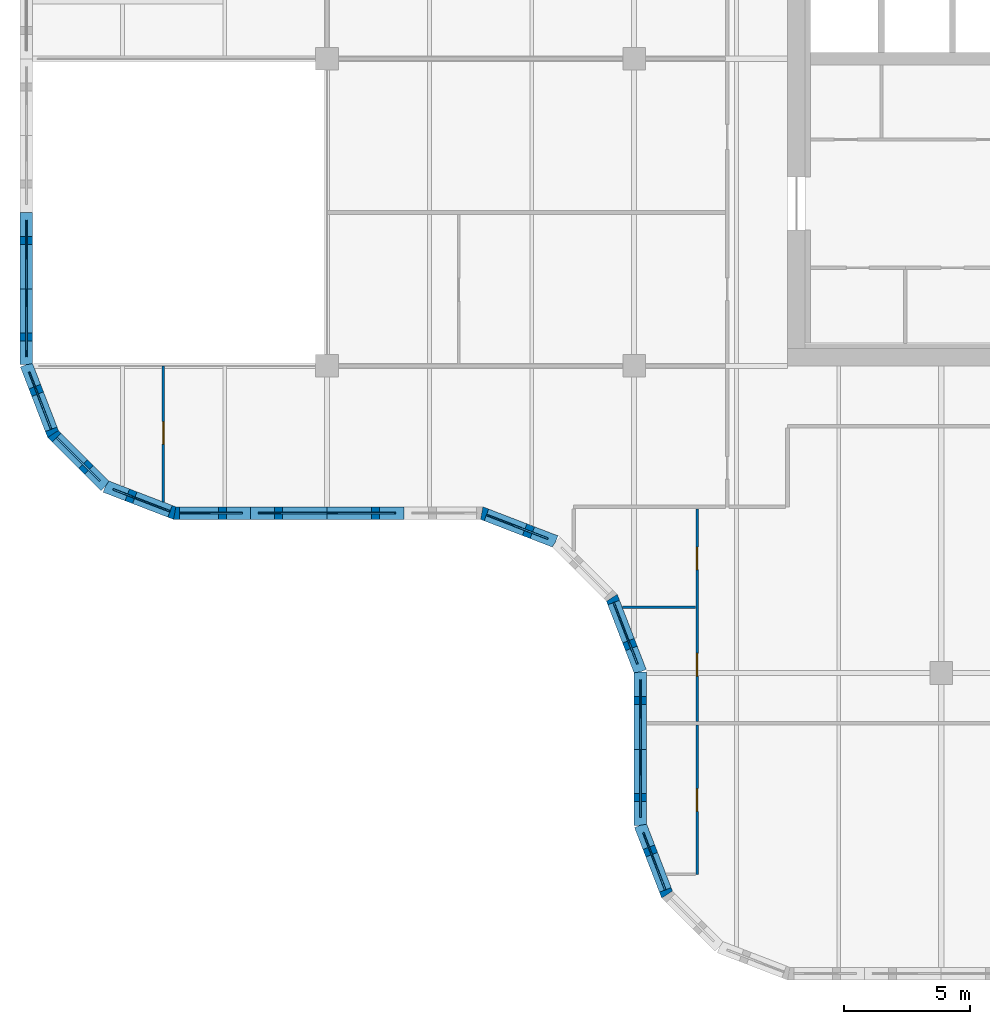
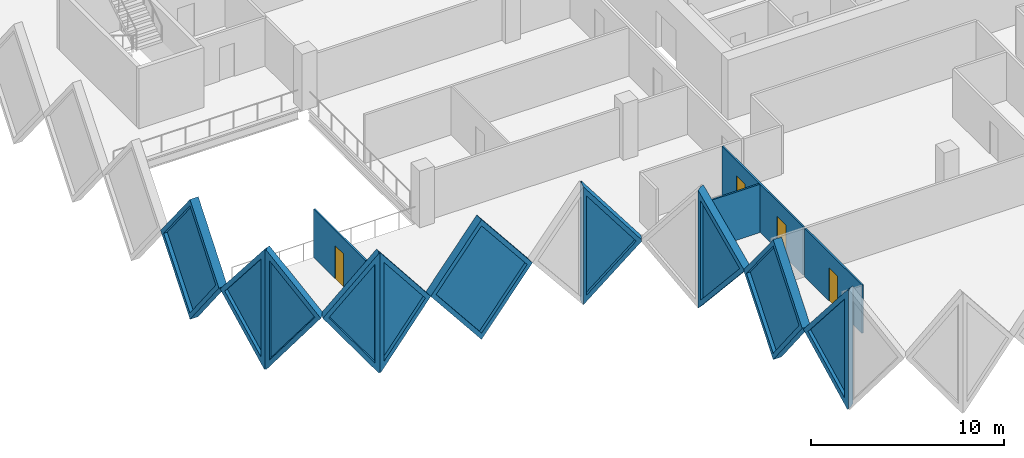
# One storey, part 3 of 12: 14 walls, 10 plates, 4 doors, 14 openings.
"""IFC4 building model written with IfcOpenShell, lengths in metres."""

from ifc_helpers import new_model, si_unit, direction, frame, frame_2d, origin, place, context, subcontext, project, spatial, polyline, rectangle, outline, extrude, faceted_brep, source, transform, mapped, material, layer, layer_set, type_object, element, fill, save


model = new_model("IFC4")

# Units and contexts
model_context = context("Model", 3, precision=1e-05, world=origin(), true_north=direction((0.0, 1.0)))
body_context = subcontext(model_context, "Body", "Model", "MODEL_VIEW")
ifc_project = project(units=[si_unit("LENGTHUNIT", "METRE"), si_unit("AREAUNIT", "SQUARE_METRE"), si_unit("VOLUMEUNIT", "CUBIC_METRE"), si_unit("PLANEANGLEUNIT", "RADIAN"), si_unit("MASSUNIT", "GRAM", prefix="KILO")], contexts=[model_context])

# Site, building, storey
site_placement = place(None, origin())
site = spatial("IfcSite", under=ifc_project, at=site_placement, CompositionType="ELEMENT")
building_placement = place(site_placement, origin())
building = spatial("IfcBuilding", under=site, at=building_placement, Name="Tessera Gate Towers", CompositionType="ELEMENT")
storey_placement = place(building_placement, frame((0.0, 0.0, 143.0)))
storey = spatial("IfcBuildingStorey", under=building, at=storey_placement, Name="L35", CompositionType="ELEMENT", Elevation=143.0)

# Wall, opening, door
ifc_material_1 = material(Name="Glass", Category="glass")
ifc_layer_1 = layer(ifc_material_1, 0.10009765625)
ifc_layer_set_1 = layer_set([ifc_layer_1], Name="GLAZED PARTITION 100")
wall_type_1 = type_object("IfcWallType", Name="GLAZED PARTITION 100", PredefinedType="PARTITIONING", material=ifc_layer_set_1)
wall_1_placement = place(storey_placement, frame((5.699951171875, 18.990234375, 0.0), z_axis=(0.0, 0.0, 1.0), x_axis=(0.0, 1.0, 0.0)))
wall_1 = element("IfcWall", 1, at=wall_1_placement, inside=storey, type_object=wall_type_1, Name="T1-L35-PW-026", PredefinedType="PARTITIONING", context=body_context, shape_type="SweptSolid", body=[
    extrude(rectangle(XDim=5.40966796875, YDim=0.10009765625, at=frame_2d((2.704833984375, 0.0))), origin(), (0.0, 0.0, 1.0), 3.06689453125),
])
shared_shape_1 = source(origin(), body_context, "Body", "SweptSolid", [
    extrude(rectangle(XDim=0.89990234375, YDim=2.10009765625, at=frame_2d((0.449951171875, 1.050048828125))), frame((0.0, 0.06005859375, 0.0), z_axis=(0.0, -1.0, 0.0), x_axis=(1.0, 0.0, 0.0)), (0.0, 0.0, 1.0), 0.1201171875),
])
opening_1_placement = place(wall_1_placement, frame((2.300048828125, 0.0, 0.0)))
opening_1 = element("IfcOpeningElement", 2, at=opening_1_placement, cuts=wall_1, Name="Opening D690-A13-03", PredefinedType="OPENING", context=body_context, shape_type="MappedRepresentation", body=[
    mapped(shared_shape_1, transform((0.0, 0.0, 0.0), scale=1.0)),
])
ifc_material_2 = material(Name="Glass in aluminium frame", Category="aluminium")
door_type_1 = type_object("IfcDoorType", Name="GLAZED DOOR 900 NOT RATED", OperationType="NOTDEFINED", PredefinedType="DOOR", material=ifc_material_2)
shared_shape_2 = source(origin(), body_context, "Body", "SweptSolid", [
    extrude(rectangle(XDim=0.89990234375, YDim=2.10009765625, at=frame_2d((0.449951171875, 1.050048828125))), frame((0.0, 0.02490234375, 0.0), z_axis=(0.0, -1.0, 0.0), x_axis=(1.0, 0.0, 0.0)), (0.0, 0.0, 1.0), 0.050048828125),
])
door_1_placement = place(opening_1_placement, origin())
door_1 = element("IfcDoor", 3, at=door_1_placement, inside=storey, type_object=door_type_1, Name="T1-L35-PD-008", OperationType="SINGLE_SWING_LEFT", OverallHeight=2.10009765625, OverallWidth=0.89990234375, PredefinedType="DOOR", context=body_context, shape_type="MappedRepresentation", body=[
    mapped(shared_shape_2, transform((0.0, 0.0, 0.0), scale=1.0)),
])
fill(opening_1, door_1)

ifc_material_3 = material(Name="Gypsum board on steel studs", Category="steel")
ifc_layer_2 = layer(ifc_material_3, 0.10009765625)
ifc_layer_set_2 = layer_set([ifc_layer_2], Name="PARTITION 100")
wall_type_2 = type_object("IfcWallType", Name="PARTITION 100", PredefinedType="PARTITIONING", material=ifc_layer_set_2)
wall_2_placement = place(storey_placement, frame((26.89990234375, 4.199951171875, 0.0), z_axis=(0.0, 0.0, 1.0), x_axis=(0.0, 1.0, 0.0)))
wall_2 = element("IfcWall", 4, at=wall_2_placement, inside=storey, type_object=wall_type_2, Name="T1-L35-PW-004", PredefinedType="PARTITIONING", context=body_context, shape_type="SweptSolid", body=[
    extrude(rectangle(XDim=5.924072265625, YDim=0.10009765625, at=frame_2d((2.9619140625, 0.0))), origin(), (0.0, 0.0, 1.0), 3.06689453125),
])
opening_2_placement = place(wall_2_placement, frame((2.5, 0.0, 0.0)))
opening_2 = element("IfcOpeningElement", 5, at=opening_2_placement, cuts=wall_2, Name="Opening D190-A13-09", PredefinedType="OPENING", context=body_context, shape_type="MappedRepresentation", body=[
    mapped(shared_shape_1, transform((0.0, 0.0, 0.0), scale=1.0)),
])
ifc_material_4 = material(Name="Timber door leaf in steel frame", Category="steel")
door_type_2 = type_object("IfcDoorType", Name="INTERNAL DOOR 900 NOT RATED", OperationType="NOTDEFINED", PredefinedType="DOOR", material=ifc_material_4)
door_2_placement = place(opening_2_placement, origin())
door_2 = element("IfcDoor", 6, at=door_2_placement, inside=storey, type_object=door_type_2, Name="T1-L35-PD-017", OperationType="SINGLE_SWING_LEFT", OverallHeight=2.10009765625, OverallWidth=0.89990234375, PredefinedType="DOOR", context=body_context, shape_type="MappedRepresentation", body=[
    mapped(shared_shape_2, transform((0.0, 0.0, 0.0), scale=1.0)),
])
fill(opening_2, door_2)

# Wall, openings, doors
wall_3_placement = place(storey_placement, frame((26.89990234375, 10.27587890625, 0.0), z_axis=(0.0, 0.0, 1.0), x_axis=(0.0, 1.0, 0.0)))
wall_3 = element("IfcWall", 7, at=wall_3_placement, inside=storey, type_object=wall_type_2, Name="T1-L35-PW-013", PredefinedType="PARTITIONING", context=body_context, shape_type="SweptSolid", body=[
    extrude(rectangle(XDim=8.4482421875, YDim=0.10009765625, at=frame_2d((4.22412109375, 0.0))), origin(), (0.0, 0.0, 1.0), 3.06689453125),
])
opening_3_placement = place(wall_3_placement, frame((6.02587890625, 0.0, 0.0)))
opening_3 = element("IfcOpeningElement", 8, at=opening_3_placement, cuts=wall_3, Name="Opening D190-A13-01", PredefinedType="OPENING", context=body_context, shape_type="MappedRepresentation", body=[
    mapped(shared_shape_1, transform((0.0, 0.0, 0.0), scale=1.0)),
])
opening_4_placement = place(wall_3_placement, frame((1.800048828125, 0.0, 0.0)))
opening_4 = element("IfcOpeningElement", 9, at=opening_4_placement, cuts=wall_3, Name="Opening D190-A13-02", PredefinedType="OPENING", context=body_context, shape_type="MappedRepresentation", body=[
    mapped(shared_shape_1, transform((0.0, 0.0, 0.0), scale=1.0)),
])
door_3_placement = place(opening_3_placement, origin())
door_3 = element("IfcDoor", 10, at=door_3_placement, inside=storey, type_object=door_type_2, Name="T1-L35-PD-002", OperationType="SINGLE_SWING_LEFT", OverallHeight=2.10009765625, OverallWidth=0.89990234375, PredefinedType="DOOR", context=body_context, shape_type="MappedRepresentation", body=[
    mapped(shared_shape_2, transform((0.0, 0.0, 0.0), scale=1.0)),
])
fill(opening_3, door_3)
door_4_placement = place(opening_4_placement, origin())
door_4 = element("IfcDoor", 11, at=door_4_placement, inside=storey, type_object=door_type_2, Name="T1-L35-PD-004", OperationType="SINGLE_SWING_LEFT", OverallHeight=2.10009765625, OverallWidth=0.89990234375, PredefinedType="DOOR", context=body_context, shape_type="MappedRepresentation", body=[
    mapped(shared_shape_2, transform((0.0, 0.0, 0.0), scale=1.0)),
])
fill(opening_4, door_4)

# Wall
wall_4_placement = place(storey_placement, frame((23.9326171875, 14.801025390625, 0.0), z_axis=(0.0, 0.0, 1.0), x_axis=(1.0, 0.0, 0.0)))
element("IfcWall", 12, at=wall_4_placement, inside=storey, type_object=wall_type_2, Name="T1-L35-PW-019", PredefinedType="PARTITIONING", context=body_context, shape_type="SweptSolid", body=[
    extrude(rectangle(XDim=2.91650390625, YDim=0.10009765625, at=frame_2d((1.458251953125, 0.0))), origin(), (0.0, 0.0, 1.0), 3.06689453125),
])

# Wall, opening, plate
ifc_material_5 = material(Name="Precast concrete C60/75 white", Category="concrete")
ifc_layer_3 = layer(ifc_material_5, 0.5)
ifc_layer_set_3 = layer_set([ifc_layer_3], Name="TS1 tessera")
wall_type_3 = type_object("IfcWallType", Name="TS1 tessera", PredefinedType="SOLIDWALL", material=ifc_layer_set_3)
shared_shape_3 = source(origin(), body_context, "Body", "SweptSolid", [
    extrude(outline(polyline([(3.050048828125, 0.0), (6.10009765625, 3.800048828125), (3.050048828125, 7.60009765625), (0.0, 3.800048828125), (3.050048828125, 0.0)])), frame((0.0, 0.25, 0.0), z_axis=(0.0, -1.0, 0.0), x_axis=(1.0, 0.0, 0.0)), (0.0, 0.0, 1.0), 0.5),
])
wall_5_placement = place(storey_placement, frame((9.14990234375, 18.550048828125, -3.800048828125), z_axis=(0.0, 0.0, 1.0), x_axis=(1.0, 0.0, 0.0)))
wall_5 = element("IfcWall", 13, at=wall_5_placement, inside=storey, type_object=wall_type_3, Name="Precast tessera T1 TS1-0619", PredefinedType="SOLIDWALL", context=body_context, shape_type="MappedRepresentation", body=[
    mapped(shared_shape_3, transform((0.0, 0.0, 0.0), scale=1.0)),
])
shared_shape_4 = source(origin(), body_context, "Body", "SweptSolid", [
    extrude(outline(polyline([(3.050048828125, 0.3994140625), (5.779541015625, 3.800048828125), (3.050048828125, 7.20068359375), (0.320556640625, 3.800048828125), (3.050048828125, 0.3994140625)])), frame((0.0, 0.260009765625, 0.0), z_axis=(0.0, -1.0, 0.0), x_axis=(1.0, 0.0, 0.0)), (0.0, 0.0, 1.0), 0.52001953125),
])
opening_5_placement = place(wall_5_placement, origin())
opening_5 = element("IfcOpeningElement", 14, at=opening_5_placement, cuts=wall_5, Name="Opening T1-PL2-1261", PredefinedType="OPENING", context=body_context, shape_type="MappedRepresentation", body=[
    mapped(shared_shape_4, transform((0.0, 0.0, 0.0), scale=1.0)),
])
ifc_material_6 = material(Name="Low-e laminated glass", Category="glass")
ifc_layer_4 = layer(ifc_material_6, 0.06005859375)
ifc_layer_set_4 = layer_set([ifc_layer_4], Name="PL2 rhombic pane")
plate_type = type_object("IfcPlateType", Name="PL2 rhombic pane", PredefinedType="SHEET", material=ifc_layer_set_4)
shared_shape_5 = source(origin(), body_context, "Body", "SweptSolid", [
    extrude(outline(polyline([(3.050048828125, 0.3994140625), (5.779541015625, 3.800048828125), (3.050048828125, 7.20068359375), (0.320556640625, 3.800048828125), (3.050048828125, 0.3994140625)])), frame((0.0, 0.030029296875, 0.0), z_axis=(0.0, -1.0, 0.0), x_axis=(1.0, 0.0, 0.0)), (0.0, 0.0, 1.0), 0.06005859375),
])
plate_1_placement = place(opening_5_placement, origin())
plate_1 = element("IfcPlate", 15, at=plate_1_placement, inside=storey, type_object=plate_type, Name="Glass pane T1 PL2-1261", PredefinedType="SHEET", context=body_context, shape_type="MappedRepresentation", body=[
    mapped(shared_shape_5, transform((0.0, 0.0, 0.0), scale=1.0)),
])
fill(opening_5, plate_1)

shared_shape_6 = source(origin(), body_context, "Body", "Brep", [
    faceted_brep([(3.050048828125, -0.25, 0.0), (6.053466796875, -0.25, 3.800048828125), (3.050048828125, -0.25, 7.60009765625), (0.0, -0.25, 3.800048828125), (0.0, 0.25, 3.800048828125), (3.050048828125, 0.25, 7.60009765625), (6.0068359375, 0.25, 3.85888671875), (6.0068359375, 0.25, 3.7412109375), (3.050048828125, 0.25, 0.0), (6.053466796875, 0.0, 3.800048828125)], [[[0, 1, 2, 3]], [[4, 5, 6, 7, 8]], [[8, 7, 9, 1, 0]], [[6, 5, 2, 1, 9]], [[5, 4, 3, 2]], [[4, 8, 0, 3]], [[9, 7, 6]]]),
])
wall_6_placement = place(storey_placement, frame((0.25, 30.5, -3.800048828125), z_axis=(0.0, 0.0, 1.0), x_axis=(0.0, -1.0, 0.0)))
wall_6 = element("IfcWall", 16, at=wall_6_placement, inside=storey, type_object=wall_type_3, Name="Precast tessera T1 TS1-0618", PredefinedType="SOLIDWALL", context=body_context, shape_type="MappedRepresentation", body=[
    mapped(shared_shape_6, transform((0.0, 0.0, 0.0), scale=1.0)),
])
shared_shape_7 = source(origin(), body_context, "Body", "SweptSolid", [
    extrude(outline(polyline([(3.048583984375, 0.4013671875), (5.73486328125, 3.800048828125), (3.048583984375, 7.19873046875), (0.320556640625, 3.800048828125), (3.048583984375, 0.4013671875)])), frame((0.0, 0.260009765625, 0.0), z_axis=(0.0, -1.0, 0.0), x_axis=(1.0, 0.0, 0.0)), (0.0, 0.0, 1.0), 0.52001953125),
])
opening_6_placement = place(wall_6_placement, origin())
opening_6 = element("IfcOpeningElement", 17, at=opening_6_placement, cuts=wall_6, Name="Opening T1-PL2-1256", PredefinedType="OPENING", context=body_context, shape_type="MappedRepresentation", body=[
    mapped(shared_shape_7, transform((0.0, 0.0, 0.0), scale=1.0)),
])
shared_shape_8 = source(origin(), body_context, "Body", "SweptSolid", [
    extrude(outline(polyline([(3.048583984375, 0.4013671875), (5.73486328125, 3.800048828125), (3.048583984375, 7.19873046875), (0.320556640625, 3.800048828125), (3.048583984375, 0.4013671875)])), frame((0.0, 0.030029296875, 0.0), z_axis=(0.0, -1.0, 0.0), x_axis=(1.0, 0.0, 0.0)), (0.0, 0.0, 1.0), 0.06005859375),
])
plate_2_placement = place(opening_6_placement, origin())
plate_2 = element("IfcPlate", 18, at=plate_2_placement, inside=storey, type_object=plate_type, Name="Glass pane T1 PL2-1256", PredefinedType="SHEET", context=body_context, shape_type="MappedRepresentation", body=[
    mapped(shared_shape_8, transform((0.0, 0.0, 0.0), scale=1.0)),
])
fill(opening_6, plate_2)

ifc_material_7 = material(Name="Precast concrete C60/75 white", Category="concrete")
ifc_layer_5 = layer(ifc_material_7, 0.5)
ifc_layer_set_5 = layer_set([ifc_layer_5], Name="TS3 corner tessera")
wall_type_4 = type_object("IfcWallType", Name="TS3 corner tessera", PredefinedType="SOLIDWALL", material=ifc_layer_set_5)
shared_shape_9 = source(origin(), body_context, "Body", "Brep", [
    faceted_brep([(2.950439453125, -0.25, 0.0), (3.00341796875, -0.25, 0.068359375), (3.00341796875, -0.25, 7.53173828125), (2.950439453125, -0.25, 7.60009765625), (0.0, -0.25, 3.800048828125), (0.046630859375, 0.25, 3.860107421875), (2.897705078125, 0.25, 7.531982421875), (2.897705078125, 0.25, 0.068115234375), (0.046630859375, 0.25, 3.739990234375), (2.950439453125, 0.00048828125, 0.0), (2.950439453125, 0.00048828125, 7.60009765625), (0.0, 0.0, 3.800048828125)], [[[0, 1, 2, 3, 4]], [[5, 6, 7, 8]], [[1, 0, 9]], [[10, 3, 2]], [[6, 5, 11, 4, 3, 10]], [[8, 7, 9, 0, 4, 11]], [[8, 11, 5]], [[1, 9, 7, 6, 10, 2]]]),
])
wall_7_placement = place(storey_placement, frame((24.64990234375, 6.146484375, -3.800048828125), z_axis=(0.0, 0.0, 1.0), x_axis=(0.359953949349, -0.932970071518, 0.0)))
wall_7 = element("IfcWall", 19, at=wall_7_placement, inside=storey, type_object=wall_type_4, Name="Precast corner tessera T1 TS3-0815", PredefinedType="SOLIDWALL", context=body_context, shape_type="MappedRepresentation", body=[
    mapped(shared_shape_9, transform((0.0, 0.0, 0.0), scale=1.0)),
])
shared_shape_10 = source(origin(), body_context, "Body", "SweptSolid", [
    extrude(outline(polyline([(2.75048828125, 6.934814453125), (0.31640625, 3.800048828125), (2.75048828125, 0.665283203125), (2.75048828125, 6.934814453125)])), frame((0.0, 0.260009765625, 0.0), z_axis=(0.0, -1.0, 0.0), x_axis=(1.0, 0.0, 0.0)), (0.0, 0.0, 1.0), 0.52001953125),
])
opening_7_placement = place(wall_7_placement, origin())
opening_7 = element("IfcOpeningElement", 20, at=opening_7_placement, cuts=wall_7, Name="Opening T1-PL2-1267", PredefinedType="OPENING", context=body_context, shape_type="MappedRepresentation", body=[
    mapped(shared_shape_10, transform((0.0, 0.0, 0.0), scale=1.0)),
])
shared_shape_11 = source(origin(), body_context, "Body", "SweptSolid", [
    extrude(outline(polyline([(2.75048828125, 6.934814453125), (0.31640625, 3.800048828125), (2.75048828125, 0.665283203125), (2.75048828125, 6.934814453125)])), frame((0.0, 0.030029296875, 0.0), z_axis=(0.0, -1.0, 0.0), x_axis=(1.0, 0.0, 0.0)), (0.0, 0.0, 1.0), 0.06005859375),
])
plate_3_placement = place(opening_7_placement, origin())
plate_3 = element("IfcPlate", 21, at=plate_3_placement, inside=storey, type_object=plate_type, Name="Glass pane T1 PL2-1267", PredefinedType="SHEET", context=body_context, shape_type="MappedRepresentation", body=[
    mapped(shared_shape_11, transform((0.0, 0.0, 0.0), scale=1.0)),
])
fill(opening_7, plate_3)

shared_shape_12 = source(origin(), body_context, "Body", "Brep", [
    faceted_brep([(0.052978515625, -0.25, 0.0), (2.9970703125, -0.25, 3.800048828125), (0.052978515625, -0.25, 7.60009765625), (0.0, -0.25, 7.531982421875), (0.0, -0.25, 0.068115234375), (0.10595703125, 0.25, 7.53173828125), (2.944091796875, 0.25, 3.8681640625), (2.944091796875, 0.25, 3.73193359375), (0.10595703125, 0.25, 0.068359375), (2.9970703125, 0.000244140625, 3.800048828125), (0.052978515625, 0.0, 0.0), (0.052978515625, 0.0, 7.60009765625)], [[[0, 1, 2, 3, 4]], [[5, 6, 7, 8]], [[8, 7, 9, 1, 0, 10]], [[6, 5, 11, 2, 1, 9]], [[3, 2, 11]], [[10, 0, 4]], [[8, 10, 4, 3, 11, 5]], [[9, 7, 6]]]),
])
wall_8_placement = place(storey_placement, frame((1.2744140625, 21.731201171875, -3.800048828125), z_axis=(0.0, 0.0, 1.0), x_axis=(0.707147509625, -0.707066050402, 0.0)))
wall_8 = element("IfcWall", 22, at=wall_8_placement, inside=storey, type_object=wall_type_4, Name="Precast corner tessera T1 TS3-0808", PredefinedType="SOLIDWALL", context=body_context, shape_type="MappedRepresentation", body=[
    mapped(shared_shape_12, transform((0.0, 0.0, 0.0), scale=1.0)),
])
shared_shape_13 = source(origin(), body_context, "Body", "SweptSolid", [
    extrude(outline(polyline([(0.2529296875, 0.666259765625), (2.680908203125, 3.800048828125), (0.2529296875, 6.933837890625), (0.2529296875, 0.666259765625)])), frame((0.0, 0.260009765625, 0.0), z_axis=(0.0, -1.0, 0.0), x_axis=(1.0, 0.0, 0.0)), (0.0, 0.0, 1.0), 0.52001953125),
])
opening_8_placement = place(wall_8_placement, origin())
opening_8 = element("IfcOpeningElement", 23, at=opening_8_placement, cuts=wall_8, Name="Opening T1-PL2-1258", PredefinedType="OPENING", context=body_context, shape_type="MappedRepresentation", body=[
    mapped(shared_shape_13, transform((0.0, 0.0, 0.0), scale=1.0)),
])
shared_shape_14 = source(origin(), body_context, "Body", "SweptSolid", [
    extrude(outline(polyline([(0.2529296875, 0.666259765625), (2.680908203125, 3.800048828125), (0.2529296875, 6.933837890625), (0.2529296875, 0.666259765625)])), frame((0.0, 0.030029296875, 0.0), z_axis=(0.0, -1.0, 0.0), x_axis=(1.0, 0.0, 0.0)), (0.0, 0.0, 1.0), 0.06005859375),
])
plate_4_placement = place(opening_8_placement, origin())
plate_4 = element("IfcPlate", 24, at=plate_4_placement, inside=storey, type_object=plate_type, Name="Glass pane T1 PL2-1258", PredefinedType="SHEET", context=body_context, shape_type="MappedRepresentation", body=[
    mapped(shared_shape_14, transform((0.0, 0.0, 0.0), scale=1.0)),
])
fill(opening_8, plate_4)

shared_shape_15 = source(origin(), body_context, "Body", "Brep", [
    faceted_brep([(2.950439453125, -0.25, 0.0), (2.9970703125, -0.25, 0.05908203125), (2.9970703125, -0.25, 7.541015625), (2.950439453125, -0.25, 7.60009765625), (0.0, -0.25, 3.800048828125), (0.052978515625, 0.25, 3.8681640625), (2.904052734375, 0.25, 7.540283203125), (2.904052734375, 0.25, 0.059814453125), (0.052978515625, 0.25, 3.73193359375), (2.950439453125, 0.00048828125, 0.0), (2.950439453125, 0.00048828125, 7.60009765625), (0.0, 0.0, 3.800048828125)], [[[0, 1, 2, 3, 4]], [[5, 6, 7, 8]], [[1, 0, 9]], [[10, 3, 2]], [[6, 5, 11, 4, 3, 10]], [[8, 7, 9, 0, 4, 11]], [[8, 11, 5]], [[1, 9, 7, 6, 10, 2]]]),
])
wall_9_placement = place(storey_placement, frame((3.393798828125, 19.61181640625, -3.800048828125), z_axis=(0.0, 0.0, 1.0), x_axis=(0.932990326376, -0.359901446078, 0.0)))
wall_9 = element("IfcWall", 25, at=wall_9_placement, inside=storey, type_object=wall_type_4, Name="Precast corner tessera T1 TS3-0809", PredefinedType="SOLIDWALL", context=body_context, shape_type="MappedRepresentation", body=[
    mapped(shared_shape_15, transform((0.0, 0.0, 0.0), scale=1.0)),
])
opening_9_placement = place(wall_9_placement, origin())
opening_9 = element("IfcOpeningElement", 26, at=opening_9_placement, cuts=wall_9, Name="Opening T1-PL2-1259", PredefinedType="OPENING", context=body_context, shape_type="MappedRepresentation", body=[
    mapped(shared_shape_10, transform((0.0, 0.0, 0.0), scale=1.0)),
])
plate_5_placement = place(opening_9_placement, origin())
plate_5 = element("IfcPlate", 27, at=plate_5_placement, inside=storey, type_object=plate_type, Name="Glass pane T1 PL2-1259", PredefinedType="SHEET", context=body_context, shape_type="MappedRepresentation", body=[
    mapped(shared_shape_11, transform((0.0, 0.0, 0.0), scale=1.0)),
])
fill(opening_9, plate_5)

shared_shape_16 = source(origin(), body_context, "Body", "Brep", [
    faceted_brep([(0.046630859375, -0.25, 0.0), (3.050048828125, -0.25, 3.800048828125), (0.046630859375, -0.25, 7.60009765625), (0.0, -0.25, 7.5400390625), (0.0, -0.25, 0.06005859375), (0.09326171875, 0.25, 7.541259765625), (3.050048828125, 0.25, 3.800048828125), (0.09326171875, 0.25, 0.058837890625), (0.046630859375, 0.0, 0.0), (0.046630859375, 0.0, 7.60009765625)], [[[0, 1, 2, 3, 4]], [[5, 6, 7]], [[7, 6, 1, 0, 8]], [[6, 5, 9, 2, 1]], [[3, 2, 9]], [[8, 0, 4]], [[7, 8, 4, 3, 9, 5]]]),
])
wall_10_placement = place(storey_placement, frame((6.099853515625, 18.550048828125, -3.800048828125), z_axis=(0.0, 0.0, 1.0), x_axis=(1.0, 0.0, 0.0)))
wall_10 = element("IfcWall", 28, at=wall_10_placement, inside=storey, type_object=wall_type_4, Name="Precast corner tessera T1 TS3-0810", PredefinedType="SOLIDWALL", context=body_context, shape_type="MappedRepresentation", body=[
    mapped(shared_shape_16, transform((0.0, 0.0, 0.0), scale=1.0)),
])
shared_shape_17 = source(origin(), body_context, "Body", "SweptSolid", [
    extrude(outline(polyline([(0.24658203125, 0.65625), (2.7314453125, 3.800048828125), (0.24658203125, 6.94384765625), (0.24658203125, 0.65625)])), frame((0.0, 0.260009765625, 0.0), z_axis=(0.0, -1.0, 0.0), x_axis=(1.0, 0.0, 0.0)), (0.0, 0.0, 1.0), 0.52001953125),
])
opening_10_placement = place(wall_10_placement, origin())
opening_10 = element("IfcOpeningElement", 29, at=opening_10_placement, cuts=wall_10, Name="Opening T1-PL2-1260", PredefinedType="OPENING", context=body_context, shape_type="MappedRepresentation", body=[
    mapped(shared_shape_17, transform((0.0, 0.0, 0.0), scale=1.0)),
])
shared_shape_18 = source(origin(), body_context, "Body", "SweptSolid", [
    extrude(outline(polyline([(0.24658203125, 0.65625), (2.7314453125, 3.800048828125), (0.24658203125, 6.94384765625), (0.24658203125, 0.65625)])), frame((0.0, 0.030029296875, 0.0), z_axis=(0.0, -1.0, 0.0), x_axis=(1.0, 0.0, 0.0)), (0.0, 0.0, 1.0), 0.06005859375),
])
plate_6_placement = place(opening_10_placement, origin())
plate_6 = element("IfcPlate", 30, at=plate_6_placement, inside=storey, type_object=plate_type, Name="Glass pane T1 PL2-1260", PredefinedType="SHEET", context=body_context, shape_type="MappedRepresentation", body=[
    mapped(shared_shape_18, transform((0.0, 0.0, 0.0), scale=1.0)),
])
fill(opening_10, plate_6)

shared_shape_19 = source(origin(), body_context, "Body", "Brep", [
    faceted_brep([(2.950439453125, -0.25, 0.0), (3.00341796875, -0.25, 0.068359375), (3.00341796875, -0.25, 7.53173828125), (2.950439453125, -0.25, 7.60009765625), (0.0, -0.25, 3.800048828125), (0.046630859375, 0.25, 3.860107421875), (2.897705078125, 0.25, 7.531982421875), (2.897705078125, 0.25, 0.068115234375), (0.046630859375, 0.25, 3.739990234375), (2.950439453125, 0.00048828125, 0.0), (2.950439453125, 0.00048828125, 7.60009765625), (0.0, 0.0, 3.800048828125)], [[[0, 1, 2, 3, 4]], [[5, 6, 7, 8]], [[1, 0, 9]], [[10, 3, 2]], [[6, 5, 11, 4, 3, 10]], [[8, 7, 9, 0, 4, 11]], [[8, 11, 5]], [[1, 9, 7, 6, 10, 2]]]),
])
wall_11_placement = place(storey_placement, frame((0.25, 24.446533203125, -3.800048828125), z_axis=(0.0, 0.0, 1.0), x_axis=(0.35992665181, -0.932980602862, 0.0)))
wall_11 = element("IfcWall", 31, at=wall_11_placement, inside=storey, type_object=wall_type_4, Name="Precast corner tessera T1 TS3-0807", PredefinedType="SOLIDWALL", context=body_context, shape_type="MappedRepresentation", body=[
    mapped(shared_shape_19, transform((0.0, 0.0, 0.0), scale=1.0)),
])
opening_11_placement = place(wall_11_placement, origin())
opening_11 = element("IfcOpeningElement", 32, at=opening_11_placement, cuts=wall_11, Name="Opening T1-PL2-1257", PredefinedType="OPENING", context=body_context, shape_type="MappedRepresentation", body=[
    mapped(shared_shape_10, transform((0.0, 0.0, 0.0), scale=1.0)),
])
plate_7_placement = place(opening_11_placement, origin())
plate_7 = element("IfcPlate", 33, at=plate_7_placement, inside=storey, type_object=plate_type, Name="Glass pane T1 PL2-1257", PredefinedType="SHEET", context=body_context, shape_type="MappedRepresentation", body=[
    mapped(shared_shape_11, transform((0.0, 0.0, 0.0), scale=1.0)),
])
fill(opening_11, plate_7)

shared_shape_20 = source(origin(), body_context, "Body", "Brep", [
    faceted_brep([(0.09326171875, -0.25, 0.05615234375), (3.14306640625, -0.25, 3.736328125), (3.14306640625, -0.25, 3.86376953125), (0.09326171875, -0.25, 7.5439453125), (0.0, 0.25, 7.54296875), (0.046630859375, 0.25, 7.60009765625), (3.196044921875, 0.25, 3.800048828125), (0.046630859375, 0.25, 0.0), (0.0, 0.25, 0.05712890625), (3.196044921875, -0.000244140625, 3.800048828125), (0.046630859375, 0.0, 0.0), (0.046630859375, 0.0, 7.60009765625)], [[[0, 1, 2, 3]], [[4, 5, 6, 7, 8]], [[7, 6, 9, 1, 0, 10]], [[6, 5, 11, 3, 2, 9]], [[5, 4, 11]], [[8, 7, 10]], [[8, 10, 0, 3, 11, 4]], [[1, 9, 2]]]),
])
wall_12_placement = place(storey_placement, frame((18.302978515625, 18.56689453125, -3.800048828125), z_axis=(0.0, 0.0, 1.0), x_axis=(0.932978940178, -0.359930961693, 0.0)))
wall_12 = element("IfcWall", 34, at=wall_12_placement, inside=storey, type_object=wall_type_4, Name="Precast corner tessera T1 TS3-0812", PredefinedType="SOLIDWALL", context=body_context, shape_type="MappedRepresentation", body=[
    mapped(shared_shape_20, transform((0.0, 0.0, 0.0), scale=1.0)),
])
shared_shape_21 = source(origin(), body_context, "Body", "SweptSolid", [
    extrude(outline(polyline([(0.24658203125, 0.633056640625), (2.871337890625, 3.800048828125), (0.24658203125, 6.967041015625), (0.24658203125, 0.633056640625)])), frame((0.0, 0.260009765625, 0.0), z_axis=(0.0, -1.0, 0.0), x_axis=(1.0, 0.0, 0.0)), (0.0, 0.0, 1.0), 0.52001953125),
])
opening_12_placement = place(wall_12_placement, origin())
opening_12 = element("IfcOpeningElement", 35, at=opening_12_placement, cuts=wall_12, Name="Opening T1-PL2-1263", PredefinedType="OPENING", context=body_context, shape_type="MappedRepresentation", body=[
    mapped(shared_shape_21, transform((0.0, 0.0, 0.0), scale=1.0)),
])
shared_shape_22 = source(origin(), body_context, "Body", "SweptSolid", [
    extrude(outline(polyline([(0.24658203125, 0.633056640625), (2.871337890625, 3.800048828125), (0.24658203125, 6.967041015625), (0.24658203125, 0.633056640625)])), frame((0.0, 0.030029296875, 0.0), z_axis=(0.0, -1.0, 0.0), x_axis=(1.0, 0.0, 0.0)), (0.0, 0.0, 1.0), 0.06005859375),
])
plate_8_placement = place(opening_12_placement, origin())
plate_8 = element("IfcPlate", 36, at=plate_8_placement, inside=storey, type_object=plate_type, Name="Glass pane T1 PL2-1263", PredefinedType="SHEET", context=body_context, shape_type="MappedRepresentation", body=[
    mapped(shared_shape_22, transform((0.0, 0.0, 0.0), scale=1.0)),
])
fill(opening_12, plate_8)

shared_shape_23 = source(origin(), body_context, "Body", "Brep", [
    faceted_brep([(0.10595703125, -0.25, 0.06396484375), (3.156005859375, -0.25, 3.743896484375), (3.156005859375, -0.25, 3.856201171875), (0.10595703125, -0.25, 7.5361328125), (0.0, 0.25, 7.536376953125), (0.052978515625, 0.25, 7.60009765625), (3.202392578125, 0.25, 3.800048828125), (0.052978515625, 0.25, 0.0), (0.0, 0.25, 0.063720703125), (3.202392578125, -0.000244140625, 3.800048828125), (0.052978515625, 0.0, 0.0), (0.052978515625, 0.0, 7.60009765625)], [[[0, 1, 2, 3]], [[4, 5, 6, 7, 8]], [[7, 6, 9, 1, 0, 10]], [[6, 5, 11, 3, 2, 9]], [[5, 4, 11]], [[8, 7, 10]], [[8, 10, 0, 3, 11, 4]], [[1, 9, 2]]]),
])
wall_13_placement = place(storey_placement, frame((23.497314453125, 15.234375, -3.800048828125), z_axis=(0.0, 0.0, 1.0), x_axis=(0.359913782069, -0.932985567668, 0.0)))
wall_13 = element("IfcWall", 37, at=wall_13_placement, inside=storey, type_object=wall_type_4, Name="Precast corner tessera T1 TS3-0814", PredefinedType="SOLIDWALL", context=body_context, shape_type="MappedRepresentation", body=[
    mapped(shared_shape_23, transform((0.0, 0.0, 0.0), scale=1.0)),
])
shared_shape_24 = source(origin(), body_context, "Body", "SweptSolid", [
    extrude(outline(polyline([(0.2529296875, 0.633056640625), (2.877685546875, 3.800048828125), (0.2529296875, 6.967041015625), (0.2529296875, 0.633056640625)])), frame((0.0, 0.260009765625, 0.0), z_axis=(0.0, -1.0, 0.0), x_axis=(1.0, 0.0, 0.0)), (0.0, 0.0, 1.0), 0.52001953125),
])
opening_13_placement = place(wall_13_placement, origin())
opening_13 = element("IfcOpeningElement", 38, at=opening_13_placement, cuts=wall_13, Name="Opening T1-PL2-1265", PredefinedType="OPENING", context=body_context, shape_type="MappedRepresentation", body=[
    mapped(shared_shape_24, transform((0.0, 0.0, 0.0), scale=1.0)),
])
shared_shape_25 = source(origin(), body_context, "Body", "SweptSolid", [
    extrude(outline(polyline([(0.2529296875, 0.633056640625), (2.877685546875, 3.800048828125), (0.2529296875, 6.967041015625), (0.2529296875, 0.633056640625)])), frame((0.0, 0.030029296875, 0.0), z_axis=(0.0, -1.0, 0.0), x_axis=(1.0, 0.0, 0.0)), (0.0, 0.0, 1.0), 0.06005859375),
])
plate_9_placement = place(opening_13_placement, origin())
plate_9 = element("IfcPlate", 39, at=plate_9_placement, inside=storey, type_object=plate_type, Name="Glass pane T1 PL2-1265", PredefinedType="SHEET", context=body_context, shape_type="MappedRepresentation", body=[
    mapped(shared_shape_25, transform((0.0, 0.0, 0.0), scale=1.0)),
])
fill(opening_13, plate_9)

shared_shape_26 = source(origin(), body_context, "Body", "Brep", [
    faceted_brep([(3.096435546875, -0.25, 0.0), (6.10009765625, -0.25, 3.800048828125), (3.096435546875, -0.25, 7.60009765625), (0.046630859375, -0.25, 3.857177734375), (0.046630859375, -0.25, 3.742919921875), (0.0, 0.25, 3.800048828125), (3.096435546875, 0.25, 7.60009765625), (6.053466796875, 0.25, 3.859130859375), (6.053466796875, 0.25, 3.740966796875), (3.096435546875, 0.25, 0.0), (6.10009765625, -0.00048828125, 3.800048828125), (0.0, 0.0, 3.800048828125)], [[[0, 1, 2, 3, 4]], [[5, 6, 7, 8, 9]], [[9, 8, 10, 1, 0]], [[7, 6, 2, 1, 10]], [[6, 5, 11, 3, 2]], [[5, 9, 0, 4, 11]], [[11, 4, 3]], [[10, 8, 7]]]),
])
wall_14_placement = place(storey_placement, frame((24.64990234375, 12.24658203125, -3.800048828125), z_axis=(0.0, 0.0, 1.0), x_axis=(0.0, -1.0, 0.0)))
wall_14 = element("IfcWall", 40, at=wall_14_placement, inside=storey, type_object=wall_type_3, Name="Precast tessera T1 TS1-0620", PredefinedType="SOLIDWALL", context=body_context, shape_type="MappedRepresentation", body=[
    mapped(shared_shape_26, transform((0.0, 0.0, 0.0), scale=1.0)),
])
shared_shape_27 = source(origin(), body_context, "Body", "SweptSolid", [
    extrude(outline(polyline([(3.093505859375, 0.3994140625), (5.78125, 3.800048828125), (3.093505859375, 7.20068359375), (0.322509765625, 3.800048828125), (3.093505859375, 0.3994140625)])), frame((0.0, 0.260009765625, 0.0), z_axis=(0.0, -1.0, 0.0), x_axis=(1.0, 0.0, 0.0)), (0.0, 0.0, 1.0), 0.52001953125),
])
opening_14_placement = place(wall_14_placement, origin())
opening_14 = element("IfcOpeningElement", 41, at=opening_14_placement, cuts=wall_14, Name="Opening T1-PL2-1266", PredefinedType="OPENING", context=body_context, shape_type="MappedRepresentation", body=[
    mapped(shared_shape_27, transform((0.0, 0.0, 0.0), scale=1.0)),
])
shared_shape_28 = source(origin(), body_context, "Body", "SweptSolid", [
    extrude(outline(polyline([(3.093505859375, 0.3994140625), (5.78125, 3.800048828125), (3.093505859375, 7.20068359375), (0.322509765625, 3.800048828125), (3.093505859375, 0.3994140625)])), frame((0.0, 0.030029296875, 0.0), z_axis=(0.0, -1.0, 0.0), x_axis=(1.0, 0.0, 0.0)), (0.0, 0.0, 1.0), 0.06005859375),
])
plate_10_placement = place(opening_14_placement, origin())
plate_10 = element("IfcPlate", 42, at=plate_10_placement, inside=storey, type_object=plate_type, Name="Glass pane T1 PL2-1266", PredefinedType="SHEET", context=body_context, shape_type="MappedRepresentation", body=[
    mapped(shared_shape_28, transform((0.0, 0.0, 0.0), scale=1.0)),
])
fill(opening_14, plate_10)

save(model, "model.ifc")
